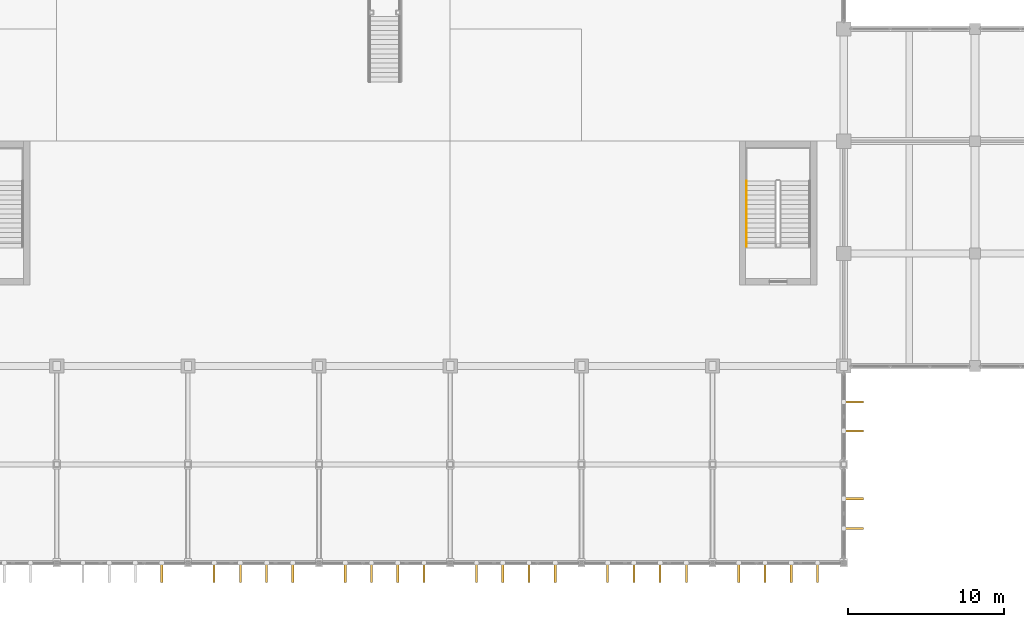
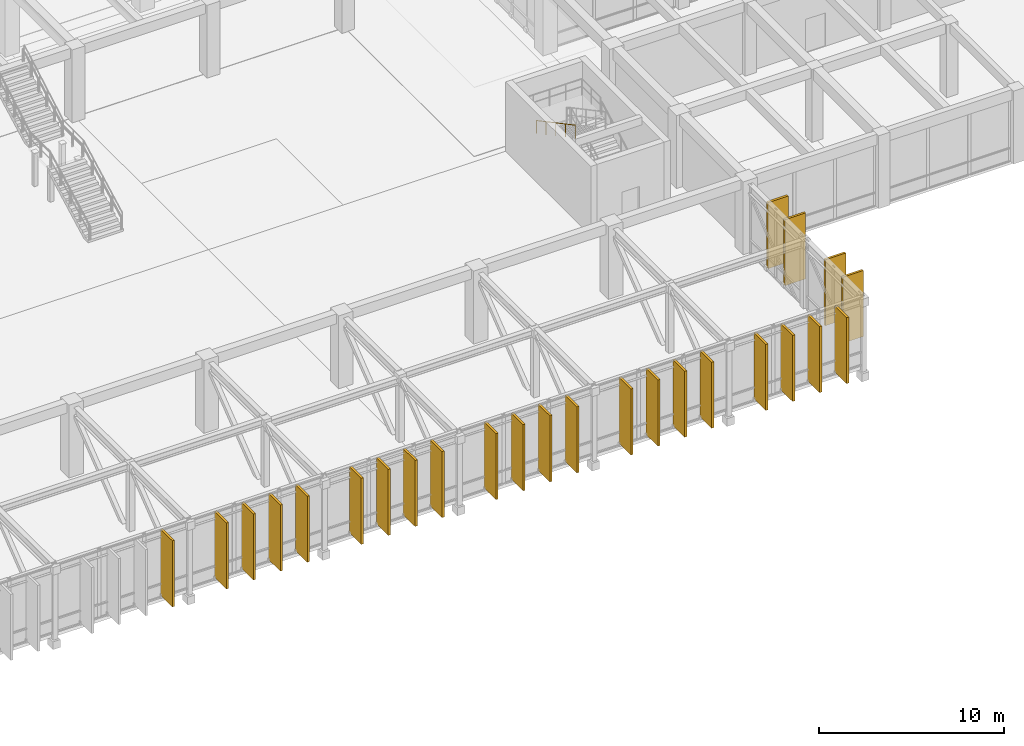
# One storey, part 44 of 51: 25 shading devices, 1 railing.
"""IFC4 building model written with IfcOpenShell, lengths in metres."""

from ifc_helpers import new_model, si_unit, direction, frame, origin, origin_2d, place, context, subcontext, project, spatial, rectangle, circle, extrude, material, type_object, element, save


model = new_model("IFC4")

# Units and contexts
model_context = context("Model", 3, precision=1e-05, world=origin(), true_north=direction((0.0, 1.0)))
body_context = subcontext(model_context, "Body", "Model", "MODEL_VIEW")
ifc_project = project(units=[si_unit("LENGTHUNIT", "METRE"), si_unit("AREAUNIT", "SQUARE_METRE"), si_unit("VOLUMEUNIT", "CUBIC_METRE"), si_unit("PLANEANGLEUNIT", "RADIAN"), si_unit("MASSUNIT", "GRAM", prefix="KILO")], contexts=[model_context])

# Site, building, storey
site_placement = place(None, origin())
site = spatial("IfcSite", under=ifc_project, at=site_placement, CompositionType="ELEMENT")
building_placement = place(site_placement, origin())
building = spatial("IfcBuilding", under=site, at=building_placement, Name="Kenerak Square Central Library", CompositionType="ELEMENT")
storey_placement = place(building_placement, frame((0.0, 0.0, 9.60009765625)))
storey = spatial("IfcBuildingStorey", under=building, at=storey_placement, Name="L02", CompositionType="ELEMENT", Elevation=9.60009765625)

# Shading devices
ifc_material_1 = material(Name="White precast concrete C40/50", Category="concrete")
shading_device_type = type_object("IfcShadingDeviceType", Name="Precast Vertical Solar Fin SF-1280 C40/50", PredefinedType="USERDEFINED", material=ifc_material_1)
for number, where, z_axis, x_axis, name in (
    (1, (117.820068359375, 14.5, 0.099853515625), (0.0, 0.0, 1.0), (0.0, -1.0, 0.0), "Precast Solar Fin FIN-01 L02 0174"),
    (2, (117.820068359375, 12.64990234375, 0.099853515625), (0.0, 0.0, 1.0), (0.0, -1.0, 0.0), "Precast Solar Fin FIN-01 L02 0175"),
    (3, (117.820068359375, 8.300048828125, 0.099853515625), (0.0, 0.0, 1.0), (0.0, -1.0, 0.0), "Precast Solar Fin FIN-01 L02 0176"),
    (4, (117.820068359375, 6.39990234375, 0.099853515625), (0.0, 0.0, 1.0), (0.0, -1.0, 0.0), "Precast Solar Fin FIN-01 L02 0177"),
    (5, (115.52001953125, 3.580078125, 0.099853515625), (0.0, 0.0, 1.0), (-1.0, 0.0, 0.0), "Precast Solar Fin FIN-01 L02 0178"),
    (6, (113.840087890625, 3.580078125, 0.099853515625), (0.0, 0.0, 1.0), (-1.0, 0.0, 0.0), "Precast Solar Fin FIN-01 L02 0179"),
    (7, (112.159912109375, 3.580078125, 0.099853515625), (0.0, 0.0, 1.0), (-1.0, 0.0, 0.0), "Precast Solar Fin FIN-01 L02 0180"),
    (8, (110.47998046875, 3.580078125, 0.099853515625), (0.0, 0.0, 1.0), (-1.0, 0.0, 0.0), "Precast Solar Fin FIN-01 L02 0181"),
    (9, (107.1201171875, 3.580078125, 0.099853515625), (0.0, 0.0, 1.0), (-1.0, 0.0, 0.0), "Precast Solar Fin FIN-01 L02 0182"),
    (10, (105.43994140625, 3.580078125, 0.099853515625), (0.0, 0.0, 1.0), (-1.0, 0.0, 0.0), "Precast Solar Fin FIN-01 L02 0183"),
    (11, (103.760009765625, 3.580078125, 0.099853515625), (0.0, 0.0, 1.0), (-1.0, 0.0, 0.0), "Precast Solar Fin FIN-01 L02 0184"),
    (12, (102.080078125, 3.580078125, 0.099853515625), (0.0, 0.0, 1.0), (-1.0, 0.0, 0.0), "Precast Solar Fin FIN-01 L02 0185"),
    (13, (98.719970703125, 3.580078125, 0.099853515625), (0.0, 0.0, 1.0), (-1.0, 0.0, 0.0), "Precast Solar Fin FIN-01 L02 0186"),
    (14, (97.0400390625, 3.580078125, 0.099853515625), (0.0, 0.0, 1.0), (-1.0, 0.0, 0.0), "Precast Solar Fin FIN-01 L02 0187"),
    (15, (95.360107421875, 3.580078125, 0.099853515625), (0.0, 0.0, 1.0), (-1.0, 0.0, 0.0), "Precast Solar Fin FIN-01 L02 0188"),
    (16, (93.679931640625, 3.580078125, 0.099853515625), (0.0, 0.0, 1.0), (-1.0, 0.0, 0.0), "Precast Solar Fin FIN-01 L02 0189"),
    (17, (90.320068359375, 3.580078125, 0.099853515625), (0.0, 0.0, 1.0), (-1.0, 0.0, 0.0), "Precast Solar Fin FIN-01 L02 0190"),
    (18, (88.639892578125, 3.580078125, 0.099853515625), (0.0, 0.0, 1.0), (-1.0, 0.0, 0.0), "Precast Solar Fin FIN-01 L02 0191"),
    (19, (86.9599609375, 3.580078125, 0.099853515625), (0.0, 0.0, 1.0), (-1.0, 0.0, 0.0), "Precast Solar Fin FIN-01 L02 0192"),
    (20, (85.280029296875, 3.580078125, 0.099853515625), (0.0, 0.0, 1.0), (-1.0, 0.0, 0.0), "Precast Solar Fin FIN-01 L02 0193"),
    (21, (81.919921875, 3.580078125, 0.099853515625), (0.0, 0.0, 1.0), (-1.0, 0.0, 0.0), "Precast Solar Fin FIN-01 L02 0194"),
    (22, (80.239990234375, 3.580078125, 0.099853515625), (0.0, 0.0, 1.0), (-1.0, 0.0, 0.0), "Precast Solar Fin FIN-01 L02 0195"),
    (23, (78.56005859375, 3.580078125, 0.099853515625), (0.0, 0.0, 1.0), (-1.0, 0.0, 0.0), "Precast Solar Fin FIN-01 L02 0196"),
    (24, (76.8798828125, 3.580078125, 0.099853515625), (0.0, 0.0, 1.0), (-1.0, 0.0, 0.0), "Precast Solar Fin FIN-01 L02 0197"),
    (25, (73.52001953125, 3.580078125, 0.099853515625), (0.0, 0.0, 1.0), (-1.0, 0.0, 0.0), "Precast Solar Fin FIN-01 L02 0198"),
):
    element("IfcShadingDevice", number, at=place(storey_placement, frame(where, z_axis=z_axis, x_axis=x_axis)), inside=storey, type_object=shading_device_type, Name=name, ObjectType="FIN", PredefinedType="USERDEFINED", context=body_context, shape_type="SweptSolid", body=[
        extrude(rectangle(XDim=0.139892578125, YDim=1.280029296875, at=origin_2d()), origin(), (0.0, 0.0, 1.0), 4.35009765625),
    ])

# Railing
ifc_material_2 = material(Name="Steel S355", Category="steel")
railing_type = type_object("IfcRailingType", Name="Stair Handrail HR-880 S355", PredefinedType="HANDRAIL", material=ifc_material_2)
railing_placement = place(storey_placement, frame((110.969970703125, 28.64990234375, 2.559814453125)))
element("IfcRailing", 26, at=railing_placement, inside=storey, type_object=railing_type, Name="L02 ST-05 stair handrail 2", PredefinedType="HANDRAIL", context=body_context, shape_type="SweptSolid", body=[
    extrude(circle(Radius=0.02392578125, at=origin_2d()), frame((0.0, 0.0, 0.85595703125), z_axis=(0.0, -0.882351521365, 0.470590897432), x_axis=(1.0, 0.0, 0.0)), (0.0, 0.0, 1.0), 4.760009765625),
    extrude(circle(Radius=0.02099609375, at=origin_2d()), origin(), (0.0, 0.0, 1.0), 0.831787109375),
    extrude(circle(Radius=0.02099609375, at=origin_2d()), frame((0.0, -1.050048828125, 0.56005859375)), (0.0, 0.0, 1.0), 0.831787109375),
    extrude(circle(Radius=0.02099609375, at=origin_2d()), frame((0.0, -2.10009765625, 1.1201171875)), (0.0, 0.0, 1.0), 0.831787109375),
    extrude(circle(Radius=0.02099609375, at=origin_2d()), frame((0.0, -3.14990234375, 1.679931640625)), (0.0, 0.0, 1.0), 0.831787109375),
    extrude(circle(Radius=0.02099609375, at=origin_2d()), frame((0.0, -4.199951171875, 2.239990234375)), (0.0, 0.0, 1.0), 0.831787109375),
])

save(model, "model.ifc")
